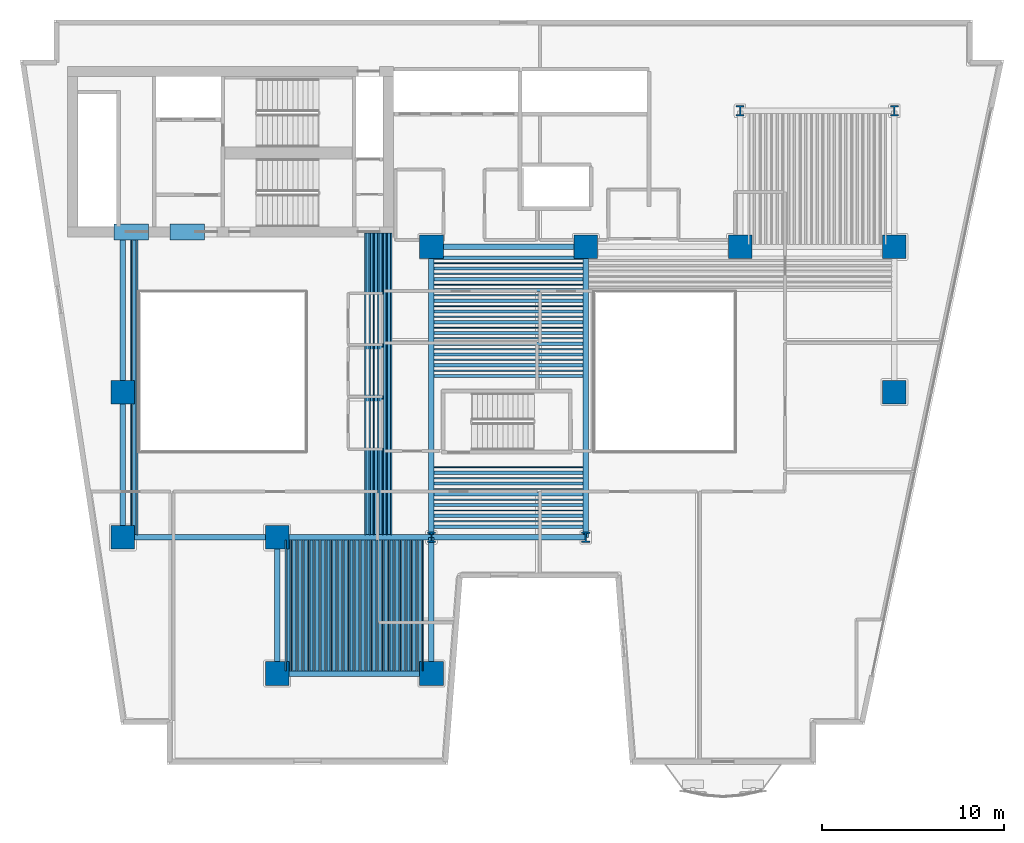
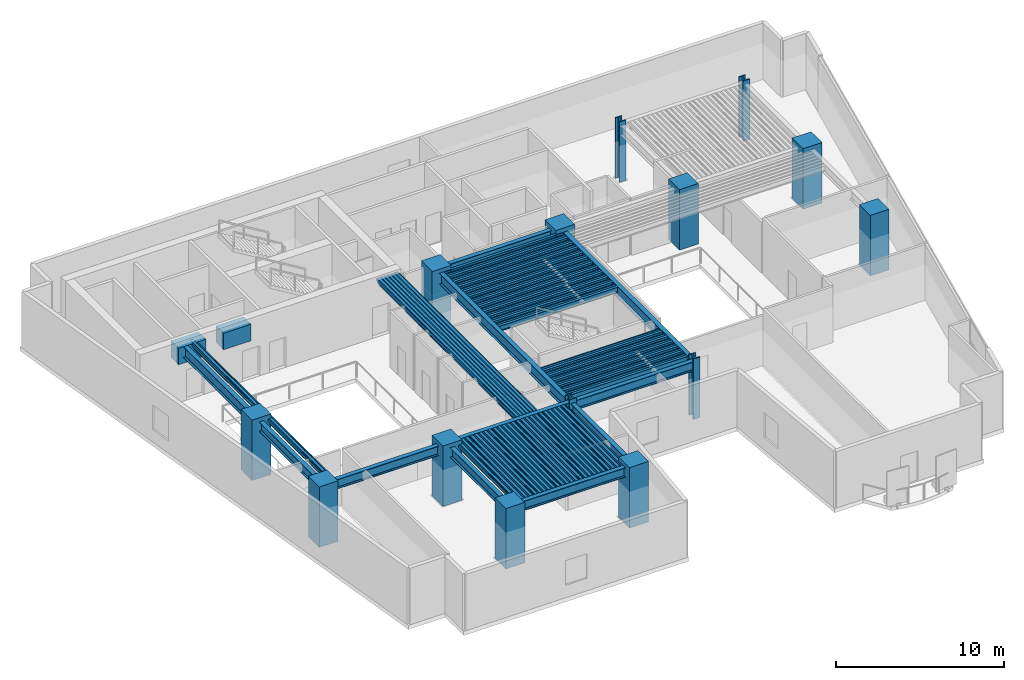
# One storey, part 1 of 11: 113 beams, 14 columns.
"""IFC4 building model written with IfcOpenShell, lengths in metres."""

from ifc_helpers import new_model, si_unit, direction, frame, origin, origin_2d, place, context, subcontext, project, spatial, rectangle, hollow_rectangle, i_section, extrude, material, material_profile, profile_set, type_object, element, save


model = new_model("IFC4")

# Units and contexts
model_context = context("Model", 3, precision=1e-05, world=origin(), true_north=direction((0.0, 1.0)))
body_context = subcontext(model_context, "Body", "Model", "MODEL_VIEW")
ifc_project = project(units=[si_unit("LENGTHUNIT", "METRE"), si_unit("AREAUNIT", "SQUARE_METRE"), si_unit("VOLUMEUNIT", "CUBIC_METRE"), si_unit("PLANEANGLEUNIT", "RADIAN"), si_unit("MASSUNIT", "GRAM", prefix="KILO")], contexts=[model_context])

# Site, building, storey
site_placement = place(None, origin())
site = spatial("IfcSite", under=ifc_project, at=site_placement, CompositionType="ELEMENT")
building_placement = place(site_placement, origin())
building = spatial("IfcBuilding", under=site, at=building_placement, Name="Caeloran Harvest Quay", CompositionType="ELEMENT")
storey_placement = place(building_placement, frame((0.0, 0.0, 62.199951171875)))
storey = spatial("IfcBuildingStorey", under=building, at=storey_placement, Name="L14", CompositionType="ELEMENT", Elevation=62.199951171875)

# Columns
ifc_material_1 = material(Name="Concrete C80/95", Category="concrete")
ifc_material_profile_1 = material_profile(ifc_material_1, rectangle(XDim=1.300048828125, YDim=1.300048828125, at=origin_2d()), Name="RC 1300x1300")
ifc_profile_set_1 = profile_set([ifc_material_profile_1], Name="Concrete C80/95")
column_type_1 = type_object("IfcColumnType", Name="COL-MC-2-RC_1300x1300", PredefinedType="COLUMN", material=ifc_profile_set_1)
for number, where, z_axis, x_axis, name in (
    (1, (8.5, 15.0, 0.0), (0.0, 0.0, 1.0), (1.0, 0.0, 0.0), "L14 Structural Column (8.5, 15.0)"),
    (2, (8.5, 23.0, 0.0), (0.0, 0.0, 1.0), (1.0, 0.0, 0.0), "L14 Structural Column (8.5, 23.0)"),
    (3, (17.0, 7.5, 0.0), (0.0, 0.0, 1.0), (1.0, 0.0, 0.0), "L14 Structural Column (17.0, 7.5)"),
    (4, (17.0, 15.0, 0.0), (0.0, 0.0, 1.0), (1.0, 0.0, 0.0), "L14 Structural Column (17.0, 15.0)"),
    (5, (25.5, 7.5, 0.0), (0.0, 0.0, 1.0), (1.0, 0.0, 0.0), "L14 Structural Column (25.5, 7.5)"),
    (6, (25.5, 31.0, 0.0), (0.0, 0.0, 1.0), (1.0, 0.0, 0.0), "L14 Structural Column (25.5, 31.0)"),
    (7, (34.0, 31.0, 0.0), (0.0, 0.0, 1.0), (1.0, 0.0, 0.0), "L14 Structural Column (34.0, 31.0)"),
    (8, (42.5, 31.0, 0.0), (0.0, 0.0, 1.0), (1.0, 0.0, 0.0), "L14 Structural Column (42.5, 31.0)"),
    (9, (51.0, 23.0, 0.0), (0.0, 0.0, 1.0), (1.0, 0.0, 0.0), "L14 Structural Column (51.0, 23.0)"),
    (10, (51.0, 31.0, 0.0), (0.0, 0.0, 1.0), (1.0, 0.0, 0.0), "L14 Structural Column (51.0, 31.0)"),
):
    element("IfcColumn", number, at=place(storey_placement, frame(where, z_axis=z_axis, x_axis=x_axis)), inside=storey, type_object=column_type_1, Name=name, PredefinedType="COLUMN", context=body_context, shape_type="SweptSolid", body=[
        extrude(rectangle(XDim=1.300048828125, YDim=1.300048828125, at=origin_2d()), origin(), (0.0, 0.0, 1.0), 4.400146484375),
    ])
ifc_material_2 = material(Name="Steel HISTAR 460", Category="steel")
ifc_material_profile_2 = material_profile(ifc_material_2, i_section(OverallWidth=0.4541015625, OverallDepth=0.569091796875, WebThickness=0.077880859375, FlangeThickness=0.080078125, FilletRadius=0.014892578125, at=origin_2d()), Name="HD 400x1086")
ifc_profile_set_2 = profile_set([ifc_material_profile_2], Name="Steel HISTAR 460")
column_type_2 = type_object("IfcColumnType", Name="COL-SC-1-HD_400x1086", PredefinedType="COLUMN", material=ifc_profile_set_2)
for number, where, z_axis, x_axis, name in (
    (11, (25.5, 15.0, 0.0), (0.0, 0.0, 1.0), (1.0, 0.0, 0.0), "L14 Structural Column (25.5, 15.0)"),
    (12, (34.0, 15.0, 0.0), (0.0, 0.0, 1.0), (1.0, 0.0, 0.0), "L14 Structural Column (34.0, 15.0)"),
    (13, (42.5, 38.5, 0.0), (0.0, 0.0, 1.0), (1.0, 0.0, 0.0), "L14 Structural Column (42.5, 38.5)"),
    (14, (51.0, 38.5, 0.0), (0.0, 0.0, 1.0), (1.0, 0.0, 0.0), "L14 Structural Column (51.0, 38.5)"),
):
    element("IfcColumn", number, at=place(storey_placement, frame(where, z_axis=z_axis, x_axis=x_axis)), inside=storey, type_object=column_type_2, Name=name, PredefinedType="COLUMN", context=body_context, shape_type="SweptSolid", body=[
        extrude(i_section(OverallWidth=0.4541015625, OverallDepth=0.569091796875, WebThickness=0.077880859375, FlangeThickness=0.080078125, FilletRadius=0.014892578125, at=origin_2d()), origin(), (0.0, 0.0, 1.0), 4.400146484375),
    ])

# Beams
ifc_material_profile_3 = material_profile(ifc_material_1, rectangle(XDim=0.89990234375, YDim=1.199951171875, at=origin_2d()), Name="RC 900x1200")
ifc_profile_set_3 = profile_set([ifc_material_profile_3], Name="Concrete C80/95")
beam_type_1 = type_object("IfcBeamType", Name="BM-CB-1-RC_900x1200", PredefinedType="LINTEL", material=ifc_profile_set_3)
for number, where, z_axis, x_axis, name in (
    (15, (8.0, 31.824951171875, 3.5), (1.0, 0.0, 0.0), (0.0, 1.0, 0.0), "L14 Core Coupling Beam 1"),
    (16, (11.10009765625, 31.824951171875, 3.5), (1.0, 0.0, 0.0), (0.0, 1.0, 0.0), "L14 Core Coupling Beam 2"),
):
    element("IfcBeam", number, at=place(storey_placement, frame(where, z_axis=z_axis, x_axis=x_axis)), inside=storey, type_object=beam_type_1, Name=name, PredefinedType="LINTEL", context=body_context, shape_type="SweptSolid", body=[
        extrude(rectangle(XDim=0.89990234375, YDim=1.199951171875, at=origin_2d()), origin(), (0.0, 0.0, 1.0), 1.89990234375),
    ])
ifc_material_3 = material(Name="Steel S355J2", Category="steel")
ifc_material_profile_4 = material_profile(ifc_material_3, i_section(OverallWidth=0.300048828125, OverallDepth=0.800048828125, WebThickness=0.017578125, FlangeThickness=0.032958984375, FilletRadius=0.030029296875, at=origin_2d()), Name="HE 800 B")
ifc_profile_set_4 = profile_set([ifc_material_profile_4], Name="Steel S355J2")
beam_type_2 = type_object("IfcBeamType", Name="BM-PG-1-HE_800_B", PredefinedType="BEAM", material=ifc_profile_set_4)
beam_1_placement = place(storey_placement, frame((8.5, 23.0, 3.699951171875), z_axis=(0.0, 1.0, 0.0), x_axis=(-1.0, 0.0, 0.0)))
element("IfcBeam", 17, at=beam_1_placement, inside=storey, type_object=beam_type_2, Name="L14 Core South Tie Girder X=8.5", PredefinedType="BEAM", context=body_context, shape_type="SweptSolid", body=[
    extrude(i_section(OverallWidth=0.300048828125, OverallDepth=0.800048828125, WebThickness=0.017578125, FlangeThickness=0.032958984375, FilletRadius=0.030029296875, at=origin_2d()), origin(), (0.0, 0.0, 1.0), 8.77490234375),
])
for number, where, z_axis, x_axis, name in (
    (18, (25.5, 15.0, 3.699951171875), (0.0, 1.0, 0.0), (-1.0, 0.0, 0.0), "L14 Primary North-South Girder X=25.5"),
    (19, (34.0, 15.0, 3.699951171875), (0.0, 1.0, 0.0), (-1.0, 0.0, 0.0), "L14 Primary North-South Girder X=34.0"),
):
    element("IfcBeam", number, at=place(storey_placement, frame(where, z_axis=z_axis, x_axis=x_axis)), inside=storey, type_object=beam_type_2, Name=name, PredefinedType="BEAM", context=body_context, shape_type="SweptSolid", body=[
        extrude(i_section(OverallWidth=0.300048828125, OverallDepth=0.800048828125, WebThickness=0.017578125, FlangeThickness=0.032958984375, FilletRadius=0.030029296875, at=origin_2d()), origin(), (0.0, 0.0, 1.0), 16.0),
    ])
ifc_material_profile_5 = material_profile(ifc_material_3, i_section(OverallWidth=0.300048828125, OverallDepth=0.699951171875, WebThickness=0.01708984375, FlangeThickness=0.031982421875, FilletRadius=0.027099609375, at=origin_2d()), Name="HE 700 B")
ifc_profile_set_5 = profile_set([ifc_material_profile_5], Name="Steel S355J2")
beam_type_3 = type_object("IfcBeamType", Name="BM-PG-2-HE_700_B", PredefinedType="BEAM", material=ifc_profile_set_5)
for number, where, z_axis, x_axis, name in (
    (20, (17.0, 7.5, 3.75), (1.0, 0.0, 0.0), (0.0, 1.0, 0.0), "L14 Primary East-West Girder Y=7.5"),
    (21, (8.5, 15.0, 3.75), (1.0, 0.0, 0.0), (0.0, 1.0, 0.0), "L14 Primary East-West Girder Y=15.0"),
    (22, (17.0, 15.0, 3.75), (1.0, 0.0, 0.0), (0.0, 1.0, 0.0), "L14 Primary East-West Girder Y=15.0"),
    (23, (25.5, 15.0, 3.75), (1.0, 0.0, 0.0), (0.0, 1.0, 0.0), "L14 Primary East-West Girder Y=15.0"),
    (24, (25.5, 31.0, 3.75), (1.0, 0.0, 0.0), (0.0, 1.0, 0.0), "L14 Primary East-West Girder Y=31.0"),
):
    element("IfcBeam", number, at=place(storey_placement, frame(where, z_axis=z_axis, x_axis=x_axis)), inside=storey, type_object=beam_type_3, Name=name, PredefinedType="BEAM", context=body_context, shape_type="SweptSolid", body=[
        extrude(i_section(OverallWidth=0.300048828125, OverallDepth=0.699951171875, WebThickness=0.01708984375, FlangeThickness=0.031982421875, FilletRadius=0.027099609375, at=origin_2d()), origin(), (0.0, 0.0, 1.0), 8.5),
    ])
beam_2_placement = place(storey_placement, frame((8.5, 15.0, 3.75), z_axis=(0.0, 1.0, 0.0), x_axis=(-1.0, 0.0, 0.0)))
element("IfcBeam", 25, at=beam_2_placement, inside=storey, type_object=beam_type_3, Name="L14 Primary North-South Girder X=8.5", PredefinedType="BEAM", context=body_context, shape_type="SweptSolid", body=[
    extrude(i_section(OverallWidth=0.300048828125, OverallDepth=0.699951171875, WebThickness=0.01708984375, FlangeThickness=0.031982421875, FilletRadius=0.027099609375, at=origin_2d()), origin(), (0.0, 0.0, 1.0), 8.0),
])
for number, where, z_axis, x_axis, name in (
    (26, (17.0, 7.5, 3.75), (0.0, 1.0, 0.0), (-1.0, 0.0, 0.0), "L14 Primary North-South Girder X=17.0"),
    (27, (25.5, 7.5, 3.75), (0.0, 1.0, 0.0), (-1.0, 0.0, 0.0), "L14 Primary North-South Girder X=25.5"),
):
    element("IfcBeam", number, at=place(storey_placement, frame(where, z_axis=z_axis, x_axis=x_axis)), inside=storey, type_object=beam_type_3, Name=name, PredefinedType="BEAM", context=body_context, shape_type="SweptSolid", body=[
        extrude(i_section(OverallWidth=0.300048828125, OverallDepth=0.699951171875, WebThickness=0.01708984375, FlangeThickness=0.031982421875, FilletRadius=0.027099609375, at=origin_2d()), origin(), (0.0, 0.0, 1.0), 7.5),
    ])
ifc_material_profile_6 = material_profile(ifc_material_3, i_section(OverallWidth=0.179931640625, OverallDepth=0.39990234375, WebThickness=0.008544921875, FlangeThickness=0.013427734375, FilletRadius=0.02099609375, at=origin_2d()), Name="IPE 400")
ifc_profile_set_6 = profile_set([ifc_material_profile_6], Name="Steel S355J2")
beam_type_4 = type_object("IfcBeamType", Name="BM-SB-4-IPE_400", PredefinedType="JOIST", material=ifc_profile_set_6)
for number, where, z_axis, x_axis, name in (
    (28, (17.629638671875, 7.64501953125, 3.900146484375), (0.0, 1.0, 0.0), (-1.0, 0.0, 0.0), "L14 Secondary Composite Joist"),
    (29, (17.9443359375, 7.64501953125, 3.900146484375), (0.0, 1.0, 0.0), (-1.0, 0.0, 0.0), "L14 Secondary Composite Joist"),
    (30, (18.25927734375, 7.64501953125, 3.900146484375), (0.0, 1.0, 0.0), (-1.0, 0.0, 0.0), "L14 Secondary Composite Joist"),
    (31, (18.57421875, 7.64501953125, 3.900146484375), (0.0, 1.0, 0.0), (-1.0, 0.0, 0.0), "L14 Secondary Composite Joist"),
    (32, (18.888916015625, 7.64501953125, 3.900146484375), (0.0, 1.0, 0.0), (-1.0, 0.0, 0.0), "L14 Secondary Composite Joist"),
    (33, (19.20361328125, 7.64501953125, 3.900146484375), (0.0, 1.0, 0.0), (-1.0, 0.0, 0.0), "L14 Secondary Composite Joist"),
    (34, (19.5185546875, 7.64501953125, 3.900146484375), (0.0, 1.0, 0.0), (-1.0, 0.0, 0.0), "L14 Secondary Composite Joist"),
    (35, (19.833251953125, 7.64501953125, 3.900146484375), (0.0, 1.0, 0.0), (-1.0, 0.0, 0.0), "L14 Secondary Composite Joist"),
    (36, (20.148193359375, 7.64501953125, 3.900146484375), (0.0, 1.0, 0.0), (-1.0, 0.0, 0.0), "L14 Secondary Composite Joist"),
    (37, (20.462890625, 7.64501953125, 3.900146484375), (0.0, 1.0, 0.0), (-1.0, 0.0, 0.0), "L14 Secondary Composite Joist"),
    (38, (20.77783203125, 7.64501953125, 3.900146484375), (0.0, 1.0, 0.0), (-1.0, 0.0, 0.0), "L14 Secondary Composite Joist"),
    (39, (21.092529296875, 7.64501953125, 3.900146484375), (0.0, 1.0, 0.0), (-1.0, 0.0, 0.0), "L14 Secondary Composite Joist"),
    (40, (21.407470703125, 7.64501953125, 3.900146484375), (0.0, 1.0, 0.0), (-1.0, 0.0, 0.0), "L14 Secondary Composite Joist"),
    (41, (21.72216796875, 7.64501953125, 3.900146484375), (0.0, 1.0, 0.0), (-1.0, 0.0, 0.0), "L14 Secondary Composite Joist"),
    (42, (22.037109375, 7.64501953125, 3.900146484375), (0.0, 1.0, 0.0), (-1.0, 0.0, 0.0), "L14 Secondary Composite Joist"),
    (43, (22.351806640625, 7.64501953125, 3.900146484375), (0.0, 1.0, 0.0), (-1.0, 0.0, 0.0), "L14 Secondary Composite Joist"),
    (44, (22.666748046875, 7.64501953125, 3.900146484375), (0.0, 1.0, 0.0), (-1.0, 0.0, 0.0), "L14 Secondary Composite Joist"),
    (45, (22.9814453125, 7.64501953125, 3.900146484375), (0.0, 1.0, 0.0), (-1.0, 0.0, 0.0), "L14 Secondary Composite Joist"),
    (46, (23.29638671875, 7.64501953125, 3.900146484375), (0.0, 1.0, 0.0), (-1.0, 0.0, 0.0), "L14 Secondary Composite Joist"),
    (47, (23.611083984375, 7.64501953125, 3.900146484375), (0.0, 1.0, 0.0), (-1.0, 0.0, 0.0), "L14 Secondary Composite Joist"),
    (48, (23.92578125, 7.64501953125, 3.900146484375), (0.0, 1.0, 0.0), (-1.0, 0.0, 0.0), "L14 Secondary Composite Joist"),
    (49, (24.24072265625, 7.64501953125, 3.900146484375), (0.0, 1.0, 0.0), (-1.0, 0.0, 0.0), "L14 Secondary Composite Joist"),
    (50, (24.5556640625, 7.64501953125, 3.900146484375), (0.0, 1.0, 0.0), (-1.0, 0.0, 0.0), "L14 Secondary Composite Joist"),
    (51, (24.870361328125, 7.64501953125, 3.900146484375), (0.0, 1.0, 0.0), (-1.0, 0.0, 0.0), "L14 Secondary Composite Joist"),
):
    element("IfcBeam", number, at=place(storey_placement, frame(where, z_axis=z_axis, x_axis=x_axis)), inside=storey, type_object=beam_type_4, Name=name, PredefinedType="JOIST", context=body_context, shape_type="SweptSolid", body=[
        extrude(i_section(OverallWidth=0.179931640625, OverallDepth=0.39990234375, WebThickness=0.008544921875, FlangeThickness=0.013427734375, FilletRadius=0.02099609375, at=origin_2d()), origin(), (0.0, 0.0, 1.0), 7.2099609375),
    ])
for number, where, z_axis, x_axis, name in (
    (52, (9.129638671875, 15.14501953125, 3.900146484375), (0.0, 1.0, 0.0), (-1.0, 0.0, 0.0), "L14 Secondary Composite Joist"),
    (53, (21.977783203125, 15.14501953125, 3.900146484375), (0.0, 1.0, 0.0), (-1.0, 0.0, 0.0), "L14 Secondary Composite Joist"),
    (54, (22.21484375, 15.14501953125, 3.900146484375), (0.0, 1.0, 0.0), (-1.0, 0.0, 0.0), "L14 Secondary Composite Joist"),
    (55, (22.451904296875, 15.14501953125, 3.900146484375), (0.0, 1.0, 0.0), (-1.0, 0.0, 0.0), "L14 Secondary Composite Joist"),
    (56, (22.68896484375, 15.14501953125, 3.900146484375), (0.0, 1.0, 0.0), (-1.0, 0.0, 0.0), "L14 Secondary Composite Joist"),
    (57, (22.92578125, 15.14501953125, 3.900146484375), (0.0, 1.0, 0.0), (-1.0, 0.0, 0.0), "L14 Secondary Composite Joist"),
    (58, (23.1630859375, 15.14501953125, 3.900146484375), (0.0, 1.0, 0.0), (-1.0, 0.0, 0.0), "L14 Secondary Composite Joist"),
):
    element("IfcBeam", number, at=place(storey_placement, frame(where, z_axis=z_axis, x_axis=x_axis)), inside=storey, type_object=beam_type_4, Name=name, PredefinedType="JOIST", context=body_context, shape_type="SweptSolid", body=[
        extrude(i_section(OverallWidth=0.179931640625, OverallDepth=0.39990234375, WebThickness=0.008544921875, FlangeThickness=0.013427734375, FilletRadius=0.02099609375, at=origin_2d()), origin(), (0.0, 0.0, 1.0), 16.6298828125),
    ])
for number, where, z_axis, x_axis, name in (
    (59, (25.64501953125, 15.592529296875, 3.900146484375), (1.0, 0.0, 0.0), (0.0, 1.0, 0.0), "L14 Secondary East-West Composite Joist"),
    (60, (25.64501953125, 16.185302734375, 3.900146484375), (1.0, 0.0, 0.0), (0.0, 1.0, 0.0), "L14 Secondary East-West Composite Joist"),
    (61, (25.64501953125, 16.77783203125, 3.900146484375), (1.0, 0.0, 0.0), (0.0, 1.0, 0.0), "L14 Secondary East-West Composite Joist"),
    (62, (25.64501953125, 17.370361328125, 3.900146484375), (1.0, 0.0, 0.0), (0.0, 1.0, 0.0), "L14 Secondary East-West Composite Joist"),
    (63, (25.64501953125, 17.962890625, 3.900146484375), (1.0, 0.0, 0.0), (0.0, 1.0, 0.0), "L14 Secondary East-West Composite Joist"),
    (64, (25.64501953125, 18.5556640625, 3.900146484375), (1.0, 0.0, 0.0), (0.0, 1.0, 0.0), "L14 Secondary East-West Composite Joist"),
    (65, (25.64501953125, 23.888916015625, 3.900146484375), (1.0, 0.0, 0.0), (0.0, 1.0, 0.0), "L14 Secondary East-West Composite Joist"),
    (66, (25.64501953125, 24.4814453125, 3.900146484375), (1.0, 0.0, 0.0), (0.0, 1.0, 0.0), "L14 Secondary East-West Composite Joist"),
    (67, (25.64501953125, 25.07421875, 3.900146484375), (1.0, 0.0, 0.0), (0.0, 1.0, 0.0), "L14 Secondary East-West Composite Joist"),
    (68, (25.64501953125, 25.666748046875, 3.900146484375), (1.0, 0.0, 0.0), (0.0, 1.0, 0.0), "L14 Secondary East-West Composite Joist"),
    (69, (25.64501953125, 26.25927734375, 3.900146484375), (1.0, 0.0, 0.0), (0.0, 1.0, 0.0), "L14 Secondary East-West Composite Joist"),
    (70, (25.64501953125, 26.851806640625, 3.900146484375), (1.0, 0.0, 0.0), (0.0, 1.0, 0.0), "L14 Secondary East-West Composite Joist"),
    (71, (25.64501953125, 27.4443359375, 3.900146484375), (1.0, 0.0, 0.0), (0.0, 1.0, 0.0), "L14 Secondary East-West Composite Joist"),
    (72, (25.64501953125, 28.037109375, 3.900146484375), (1.0, 0.0, 0.0), (0.0, 1.0, 0.0), "L14 Secondary East-West Composite Joist"),
    (73, (25.64501953125, 28.629638671875, 3.900146484375), (1.0, 0.0, 0.0), (0.0, 1.0, 0.0), "L14 Secondary East-West Composite Joist"),
    (74, (25.64501953125, 29.22216796875, 3.900146484375), (1.0, 0.0, 0.0), (0.0, 1.0, 0.0), "L14 Secondary East-West Composite Joist"),
    (75, (25.64501953125, 29.814697265625, 3.900146484375), (1.0, 0.0, 0.0), (0.0, 1.0, 0.0), "L14 Secondary East-West Composite Joist"),
    (76, (25.64501953125, 30.407470703125, 3.900146484375), (1.0, 0.0, 0.0), (0.0, 1.0, 0.0), "L14 Secondary East-West Composite Joist"),
):
    element("IfcBeam", number, at=place(storey_placement, frame(where, z_axis=z_axis, x_axis=x_axis)), inside=storey, type_object=beam_type_4, Name=name, PredefinedType="JOIST", context=body_context, shape_type="SweptSolid", body=[
        extrude(i_section(OverallWidth=0.179931640625, OverallDepth=0.39990234375, WebThickness=0.008544921875, FlangeThickness=0.013427734375, FilletRadius=0.02099609375, at=origin_2d()), origin(), (0.0, 0.0, 1.0), 8.2099609375),
    ])
ifc_material_profile_7 = material_profile(ifc_material_3, hollow_rectangle(XDim=0.080078125, YDim=0.199951171875, WallThickness=0.006103515625, InnerFilletRadius=0.006103515625, OuterFilletRadius=0.009033203125, at=origin_2d()), Name="RHS 200x80x6")
ifc_profile_set_7 = profile_set([ifc_material_profile_7], Name="Steel S355J2")
beam_type_5 = type_object("IfcBeamType", Name="BM-SB-7-RHS_200x80x6", PredefinedType="JOIST", material=ifc_profile_set_7)
for number, where, z_axis, x_axis, name in (
    (77, (17.47216796875, 7.64501953125, 4.0), (0.0, 1.0, 0.0), (-1.0, 0.0, 0.0), "L14 Secondary Composite Joist"),
    (78, (17.787109375, 7.64501953125, 4.0), (0.0, 1.0, 0.0), (-1.0, 0.0, 0.0), "L14 Secondary Composite Joist"),
    (79, (18.101806640625, 7.64501953125, 4.0), (0.0, 1.0, 0.0), (-1.0, 0.0, 0.0), "L14 Secondary Composite Joist"),
    (80, (18.416748046875, 7.64501953125, 4.0), (0.0, 1.0, 0.0), (-1.0, 0.0, 0.0), "L14 Secondary Composite Joist"),
    (81, (18.7314453125, 7.64501953125, 4.0), (0.0, 1.0, 0.0), (-1.0, 0.0, 0.0), "L14 Secondary Composite Joist"),
    (82, (19.04638671875, 7.64501953125, 4.0), (0.0, 1.0, 0.0), (-1.0, 0.0, 0.0), "L14 Secondary Composite Joist"),
    (83, (19.361083984375, 7.64501953125, 4.0), (0.0, 1.0, 0.0), (-1.0, 0.0, 0.0), "L14 Secondary Composite Joist"),
    (84, (19.67578125, 7.64501953125, 4.0), (0.0, 1.0, 0.0), (-1.0, 0.0, 0.0), "L14 Secondary Composite Joist"),
    (85, (19.99072265625, 7.64501953125, 4.0), (0.0, 1.0, 0.0), (-1.0, 0.0, 0.0), "L14 Secondary Composite Joist"),
    (86, (20.3056640625, 7.64501953125, 4.0), (0.0, 1.0, 0.0), (-1.0, 0.0, 0.0), "L14 Secondary Composite Joist"),
    (87, (20.620361328125, 7.64501953125, 4.0), (0.0, 1.0, 0.0), (-1.0, 0.0, 0.0), "L14 Secondary Composite Joist"),
    (88, (20.935302734375, 7.64501953125, 4.0), (0.0, 1.0, 0.0), (-1.0, 0.0, 0.0), "L14 Secondary Composite Joist"),
    (89, (21.25, 7.64501953125, 4.0), (0.0, 1.0, 0.0), (-1.0, 0.0, 0.0), "L14 Secondary Composite Joist"),
    (90, (21.564697265625, 7.64501953125, 4.0), (0.0, 1.0, 0.0), (-1.0, 0.0, 0.0), "L14 Secondary Composite Joist"),
    (91, (21.879638671875, 7.64501953125, 4.0), (0.0, 1.0, 0.0), (-1.0, 0.0, 0.0), "L14 Secondary Composite Joist"),
    (92, (22.1943359375, 7.64501953125, 4.0), (0.0, 1.0, 0.0), (-1.0, 0.0, 0.0), "L14 Secondary Composite Joist"),
    (93, (22.50927734375, 7.64501953125, 4.0), (0.0, 1.0, 0.0), (-1.0, 0.0, 0.0), "L14 Secondary Composite Joist"),
    (94, (22.82421875, 7.64501953125, 4.0), (0.0, 1.0, 0.0), (-1.0, 0.0, 0.0), "L14 Secondary Composite Joist"),
    (95, (23.138916015625, 7.64501953125, 4.0), (0.0, 1.0, 0.0), (-1.0, 0.0, 0.0), "L14 Secondary Composite Joist"),
    (96, (23.45361328125, 7.64501953125, 4.0), (0.0, 1.0, 0.0), (-1.0, 0.0, 0.0), "L14 Secondary Composite Joist"),
    (97, (23.7685546875, 7.64501953125, 4.0), (0.0, 1.0, 0.0), (-1.0, 0.0, 0.0), "L14 Secondary Composite Joist"),
    (98, (24.083251953125, 7.64501953125, 4.0), (0.0, 1.0, 0.0), (-1.0, 0.0, 0.0), "L14 Secondary Composite Joist"),
    (99, (24.398193359375, 7.64501953125, 4.0), (0.0, 1.0, 0.0), (-1.0, 0.0, 0.0), "L14 Secondary Composite Joist"),
    (100, (24.712890625, 7.64501953125, 4.0), (0.0, 1.0, 0.0), (-1.0, 0.0, 0.0), "L14 Secondary Composite Joist"),
    (101, (25.02783203125, 7.64501953125, 4.0), (0.0, 1.0, 0.0), (-1.0, 0.0, 0.0), "L14 Secondary Composite Joist"),
):
    element("IfcBeam", number, at=place(storey_placement, frame(where, z_axis=z_axis, x_axis=x_axis)), inside=storey, type_object=beam_type_5, Name=name, PredefinedType="JOIST", context=body_context, shape_type="SweptSolid", body=[
        extrude(hollow_rectangle(XDim=0.080078125, YDim=0.199951171875, WallThickness=0.006103515625, InnerFilletRadius=0.006103515625, OuterFilletRadius=0.009033203125, at=origin_2d()), origin(), (0.0, 0.0, 1.0), 7.2099609375),
    ])
for number, where, z_axis, x_axis, name in (
    (102, (8.97216796875, 15.14501953125, 4.0), (0.0, 1.0, 0.0), (-1.0, 0.0, 0.0), "L14 Secondary Composite Joist"),
    (103, (9.287109375, 15.14501953125, 4.0), (0.0, 1.0, 0.0), (-1.0, 0.0, 0.0), "L14 Secondary Composite Joist"),
    (104, (21.859375, 15.14501953125, 4.0), (0.0, 1.0, 0.0), (-1.0, 0.0, 0.0), "L14 Secondary Composite Joist"),
    (105, (22.09619140625, 15.14501953125, 4.0), (0.0, 1.0, 0.0), (-1.0, 0.0, 0.0), "L14 Secondary Composite Joist"),
    (106, (22.333251953125, 15.14501953125, 4.0), (0.0, 1.0, 0.0), (-1.0, 0.0, 0.0), "L14 Secondary Composite Joist"),
    (107, (22.5703125, 15.14501953125, 4.0), (0.0, 1.0, 0.0), (-1.0, 0.0, 0.0), "L14 Secondary Composite Joist"),
    (108, (22.807373046875, 15.14501953125, 4.0), (0.0, 1.0, 0.0), (-1.0, 0.0, 0.0), "L14 Secondary Composite Joist"),
    (109, (23.04443359375, 15.14501953125, 4.0), (0.0, 1.0, 0.0), (-1.0, 0.0, 0.0), "L14 Secondary Composite Joist"),
    (110, (23.281494140625, 15.14501953125, 4.0), (0.0, 1.0, 0.0), (-1.0, 0.0, 0.0), "L14 Secondary Composite Joist"),
):
    element("IfcBeam", number, at=place(storey_placement, frame(where, z_axis=z_axis, x_axis=x_axis)), inside=storey, type_object=beam_type_5, Name=name, PredefinedType="JOIST", context=body_context, shape_type="SweptSolid", body=[
        extrude(hollow_rectangle(XDim=0.080078125, YDim=0.199951171875, WallThickness=0.006103515625, InnerFilletRadius=0.006103515625, OuterFilletRadius=0.009033203125, at=origin_2d()), origin(), (0.0, 0.0, 1.0), 16.6298828125),
    ])
for number, where, z_axis, x_axis, name in (
    (111, (25.64501953125, 15.888916015625, 4.0), (1.0, 0.0, 0.0), (0.0, 1.0, 0.0), "L14 Secondary East-West Composite Joist"),
    (112, (25.64501953125, 16.4814453125, 4.0), (1.0, 0.0, 0.0), (0.0, 1.0, 0.0), "L14 Secondary East-West Composite Joist"),
    (113, (25.64501953125, 17.07421875, 4.0), (1.0, 0.0, 0.0), (0.0, 1.0, 0.0), "L14 Secondary East-West Composite Joist"),
    (114, (25.64501953125, 17.666748046875, 4.0), (1.0, 0.0, 0.0), (0.0, 1.0, 0.0), "L14 Secondary East-West Composite Joist"),
    (115, (25.64501953125, 18.25927734375, 4.0), (1.0, 0.0, 0.0), (0.0, 1.0, 0.0), "L14 Secondary East-West Composite Joist"),
    (116, (25.64501953125, 18.851806640625, 4.0), (1.0, 0.0, 0.0), (0.0, 1.0, 0.0), "L14 Secondary East-West Composite Joist"),
    (117, (25.64501953125, 24.185302734375, 4.0), (1.0, 0.0, 0.0), (0.0, 1.0, 0.0), "L14 Secondary East-West Composite Joist"),
    (118, (25.64501953125, 24.77783203125, 4.0), (1.0, 0.0, 0.0), (0.0, 1.0, 0.0), "L14 Secondary East-West Composite Joist"),
    (119, (25.64501953125, 25.370361328125, 4.0), (1.0, 0.0, 0.0), (0.0, 1.0, 0.0), "L14 Secondary East-West Composite Joist"),
    (120, (25.64501953125, 25.962890625, 4.0), (1.0, 0.0, 0.0), (0.0, 1.0, 0.0), "L14 Secondary East-West Composite Joist"),
    (121, (25.64501953125, 26.5556640625, 4.0), (1.0, 0.0, 0.0), (0.0, 1.0, 0.0), "L14 Secondary East-West Composite Joist"),
    (122, (25.64501953125, 27.148193359375, 4.0), (1.0, 0.0, 0.0), (0.0, 1.0, 0.0), "L14 Secondary East-West Composite Joist"),
    (123, (25.64501953125, 27.74072265625, 4.0), (1.0, 0.0, 0.0), (0.0, 1.0, 0.0), "L14 Secondary East-West Composite Joist"),
    (124, (25.64501953125, 28.333251953125, 4.0), (1.0, 0.0, 0.0), (0.0, 1.0, 0.0), "L14 Secondary East-West Composite Joist"),
    (125, (25.64501953125, 28.92578125, 4.0), (1.0, 0.0, 0.0), (0.0, 1.0, 0.0), "L14 Secondary East-West Composite Joist"),
    (126, (25.64501953125, 29.5185546875, 4.0), (1.0, 0.0, 0.0), (0.0, 1.0, 0.0), "L14 Secondary East-West Composite Joist"),
    (127, (25.64501953125, 30.111083984375, 4.0), (1.0, 0.0, 0.0), (0.0, 1.0, 0.0), "L14 Secondary East-West Composite Joist"),
):
    element("IfcBeam", number, at=place(storey_placement, frame(where, z_axis=z_axis, x_axis=x_axis)), inside=storey, type_object=beam_type_5, Name=name, PredefinedType="JOIST", context=body_context, shape_type="SweptSolid", body=[
        extrude(hollow_rectangle(XDim=0.080078125, YDim=0.199951171875, WallThickness=0.006103515625, InnerFilletRadius=0.006103515625, OuterFilletRadius=0.009033203125, at=origin_2d()), origin(), (0.0, 0.0, 1.0), 8.2099609375),
    ])

save(model, "model.ifc")
